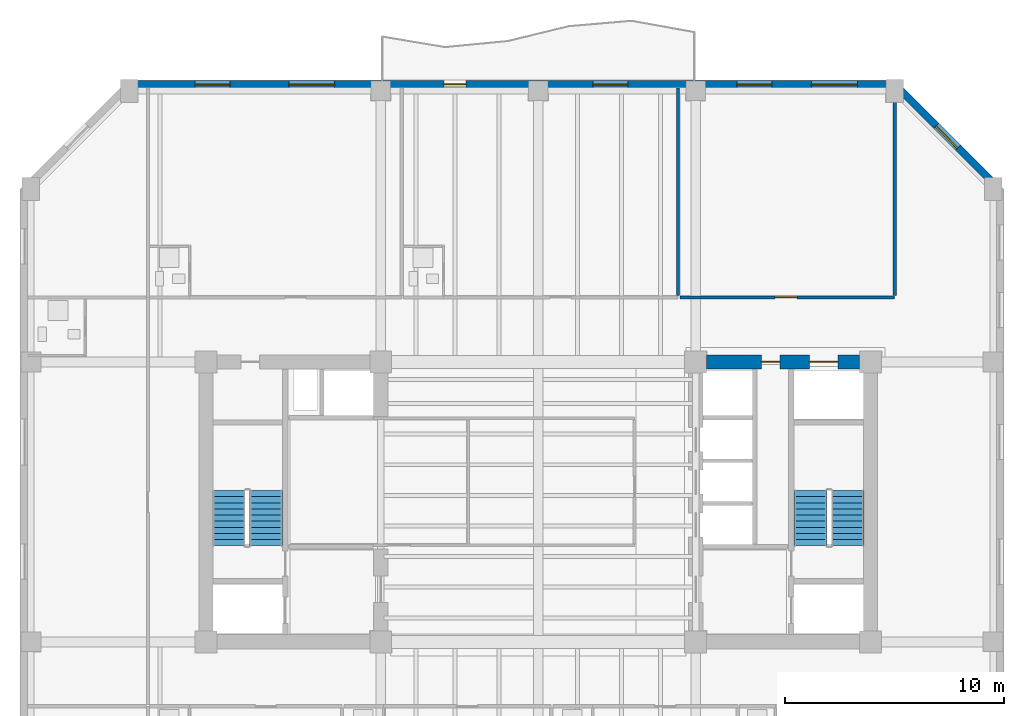
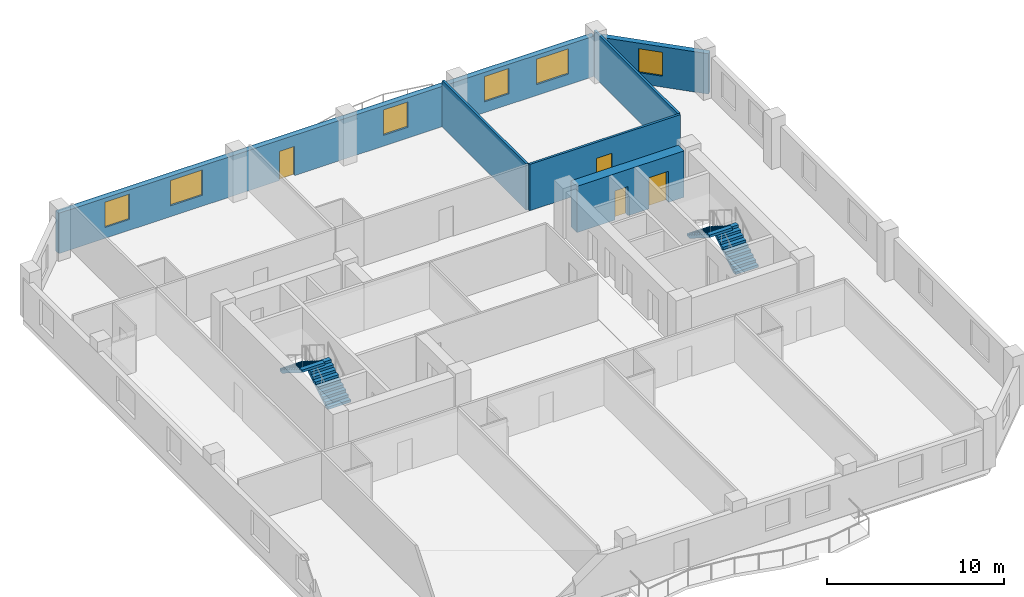
# One storey, part 5 of 10: 6 walls, 6 windows, 4 doors, 4 stair flights, 10 openings, 2 elements without a shape of their own.
"""IFC4 building model written with IfcOpenShell, lengths in metres."""

from ifc_helpers import new_model, si_unit, direction, frame, frame_2d, origin, place, context, subcontext, project, spatial, polyline, rectangle, outline, extrude, material, layer, layer_set, type_object, element, fill, aggregate, save


model = new_model("IFC4")

# Units and contexts
model_context = context("Model", 3, precision=1e-05, world=origin(), true_north=direction((0.0, 1.0)))
body_context = subcontext(model_context, "Body", "Model", "MODEL_VIEW")
ifc_project = project(units=[si_unit("LENGTHUNIT", "METRE"), si_unit("AREAUNIT", "SQUARE_METRE"), si_unit("VOLUMEUNIT", "CUBIC_METRE"), si_unit("PLANEANGLEUNIT", "RADIAN"), si_unit("MASSUNIT", "GRAM", prefix="KILO")], contexts=[model_context])

# Site, building, storey
site_placement = place(None, origin())
site = spatial("IfcSite", under=ifc_project, at=site_placement, CompositionType="ELEMENT")
building_placement = place(site_placement, origin())
building = spatial("IfcBuilding", under=site, at=building_placement, Name="Kranthara Brick Stack", CompositionType="ELEMENT")
storey_placement = place(building_placement, frame((0.0, 0.0, 123.800048828125)))
storey = spatial("IfcBuildingStorey", under=building, at=storey_placement, Name="L30", CompositionType="ELEMENT", Elevation=123.800048828125)

# Wall, openings, door, windows
ifc_material_1 = material(Name="Kiln-fired clay brick masonry M15", Category="masonry")
ifc_layer_1 = layer(ifc_material_1, 0.35009765625)
ifc_layer_set_1 = layer_set([ifc_layer_1], Name="Kiln-fired clay brick masonry M15")
wall_type_1 = type_object("IfcWallType", Name="WL-BRK-SPND-350", PredefinedType="STANDARD", material=ifc_layer_set_1)
wall_1_placement = place(storey_placement, frame((9.300048828125, 46.304931640625, 0.0), z_axis=(0.0, 0.0, 1.0), x_axis=(1.0, 0.0, 0.0)))
wall_1 = element("IfcWall", 1, at=wall_1_placement, inside=storey, type_object=wall_type_1, Name="L30 Exterior Brick Facade Wall NORTH 1", PredefinedType="STANDARD", context=body_context, shape_type="SweptSolid", body=[
    extrude(rectangle(XDim=35.0, YDim=0.35009765625, at=frame_2d((17.5, 0.0))), origin(), (0.0, 0.0, 1.0), 2.784912109375),
])
opening_1_placement = place(wall_1_placement, frame((14.39990234375, 0.0, 0.0)))
opening_1 = element("IfcOpeningElement", 2, at=opening_1_placement, cuts=wall_1, Name="Opening D03", PredefinedType="OPENING", context=body_context, shape_type="SweptSolid", body=[
    extrude(rectangle(XDim=1.0, YDim=2.02001953125, at=frame_2d((0.5, 1.010009765625))), frame((0.0, 0.18505859375, 0.0), z_axis=(0.0, -1.0, 0.0), x_axis=(1.0, 0.0, 0.0)), (0.0, 0.0, 1.0), 0.3701171875),
])
opening_2_placement = place(wall_1_placement, frame((3.007080078125, 0.0, 0.75)))
opening_2 = element("IfcOpeningElement", 3, at=opening_2_placement, cuts=wall_1, Name="Opening WN04", PredefinedType="OPENING", context=body_context, shape_type="SweptSolid", body=[
    extrude(rectangle(XDim=1.60009765625, YDim=1.75, at=frame_2d((0.800048828125, 0.875))), frame((0.0, 0.18505859375, 0.0), z_axis=(0.0, -1.0, 0.0), x_axis=(1.0, 0.0, 0.0)), (0.0, 0.0, 1.0), 0.3701171875),
])
opening_3_placement = place(wall_1_placement, frame((7.29296875, 0.0, 0.75)))
opening_3 = element("IfcOpeningElement", 4, at=opening_3_placement, cuts=wall_1, Name="Opening WN05", PredefinedType="OPENING", context=body_context, shape_type="SweptSolid", body=[
    extrude(rectangle(XDim=2.10009765625, YDim=1.75, at=frame_2d((1.050048828125, 0.875))), frame((0.0, 0.18505859375, 0.0), z_axis=(0.0, -1.0, 0.0), x_axis=(1.0, 0.0, 0.0)), (0.0, 0.0, 1.0), 0.3701171875),
])
opening_4_placement = place(wall_1_placement, frame((21.197998046875, 0.0, 0.75)))
opening_4 = element("IfcOpeningElement", 5, at=opening_4_placement, cuts=wall_1, Name="Opening WN04", PredefinedType="OPENING", context=body_context, shape_type="SweptSolid", body=[
    extrude(rectangle(XDim=1.60009765625, YDim=1.75, at=frame_2d((0.800048828125, 0.875))), frame((0.0, 0.18505859375, 0.0), z_axis=(0.0, -1.0, 0.0), x_axis=(1.0, 0.0, 0.0)), (0.0, 0.0, 1.0), 0.3701171875),
])
opening_5_placement = place(wall_1_placement, frame((27.782958984375, 0.0, 0.75)))
opening_5 = element("IfcOpeningElement", 6, at=opening_5_placement, cuts=wall_1, Name="Opening WN04", PredefinedType="OPENING", context=body_context, shape_type="SweptSolid", body=[
    extrude(rectangle(XDim=1.60009765625, YDim=1.75, at=frame_2d((0.800048828125, 0.875))), frame((0.0, 0.18505859375, 0.0), z_axis=(0.0, -1.0, 0.0), x_axis=(1.0, 0.0, 0.0)), (0.0, 0.0, 1.0), 0.3701171875),
])
opening_6_placement = place(wall_1_placement, frame((31.19189453125, 0.0, 0.75)))
opening_6 = element("IfcOpeningElement", 7, at=opening_6_placement, cuts=wall_1, Name="Opening WN05", PredefinedType="OPENING", context=body_context, shape_type="SweptSolid", body=[
    extrude(rectangle(XDim=2.10009765625, YDim=1.75, at=frame_2d((1.050048828125, 0.875))), frame((0.0, 0.18505859375, 0.0), z_axis=(0.0, -1.0, 0.0), x_axis=(1.0, 0.0, 0.0)), (0.0, 0.0, 1.0), 0.3701171875),
])
ifc_material_2 = material(Name="Bronze anodised aluminium and laminated glass", Category="aluminium")
door_type_1 = type_object("IfcDoorType", Name="DR-BALC-1000", OperationType="NOTDEFINED", PredefinedType="DOOR", material=ifc_material_2)
door_1_placement = place(opening_1_placement, origin())
door_1 = element("IfcDoor", 8, at=door_1_placement, inside=storey, type_object=door_type_1, Name="L30 North Balcony Terrace Door", OperationType="SINGLE_SWING_RIGHT", OverallHeight=2.02001953125, OverallWidth=1.0, PredefinedType="DOOR", context=body_context, shape_type="SweptSolid", body=[
    extrude(rectangle(XDim=1.0, YDim=2.02001953125, at=frame_2d((0.5, 1.010009765625))), frame((0.0, 0.02490234375, 0.0), z_axis=(0.0, -1.0, 0.0), x_axis=(1.0, 0.0, 0.0)), (0.0, 0.0, 1.0), 0.050048828125),
])
fill(opening_1, door_1)
ifc_material_3 = material(Name="Double-glazed low-E solar control glass", Category="glass")
window_type_1 = type_object("IfcWindowType", Name="WN-HTL-1600x1850", PartitioningType="DOUBLE_PANEL_VERTICAL", PredefinedType="WINDOW", material=ifc_material_3)
window_1_placement = place(opening_2_placement, origin())
window_1 = element("IfcWindow", 9, at=window_1_placement, inside=storey, type_object=window_type_1, Name="L30 North Deep-Set Brick Window 01", OverallHeight=1.75, OverallWidth=1.60009765625, PartitioningType="SINGLE_PANEL", PredefinedType="WINDOW", context=body_context, shape_type="SweptSolid", body=[
    extrude(rectangle(XDim=1.60009765625, YDim=1.75, at=frame_2d((0.800048828125, 0.875))), frame((0.0, -0.010009765625, 0.0), z_axis=(0.0, -1.0, 0.0), x_axis=(1.0, 0.0, 0.0)), (0.0, 0.0, 1.0), 0.06005859375),
])
fill(opening_2, window_1)
window_2_placement = place(opening_4_placement, origin())
window_2 = element("IfcWindow", 10, at=window_2_placement, inside=storey, type_object=window_type_1, Name="L30 North Deep-Set Brick Window 03", OverallHeight=1.75, OverallWidth=1.60009765625, PartitioningType="SINGLE_PANEL", PredefinedType="WINDOW", context=body_context, shape_type="SweptSolid", body=[
    extrude(rectangle(XDim=1.60009765625, YDim=1.75, at=frame_2d((0.800048828125, 0.875))), frame((0.0, -0.010009765625, 0.0), z_axis=(0.0, -1.0, 0.0), x_axis=(1.0, 0.0, 0.0)), (0.0, 0.0, 1.0), 0.06005859375),
])
fill(opening_4, window_2)
window_3_placement = place(opening_5_placement, origin())
window_3 = element("IfcWindow", 11, at=window_3_placement, inside=storey, type_object=window_type_1, Name="L30 North Deep-Set Brick Window 04", OverallHeight=1.75, OverallWidth=1.60009765625, PartitioningType="SINGLE_PANEL", PredefinedType="WINDOW", context=body_context, shape_type="SweptSolid", body=[
    extrude(rectangle(XDim=1.60009765625, YDim=1.75, at=frame_2d((0.800048828125, 0.875))), frame((0.0, -0.010009765625, 0.0), z_axis=(0.0, -1.0, 0.0), x_axis=(1.0, 0.0, 0.0)), (0.0, 0.0, 1.0), 0.06005859375),
])
fill(opening_5, window_3)
ifc_material_4 = material(Name="Double-glazed low-E solar control glass", Category="glass")
window_type_2 = type_object("IfcWindowType", Name="WN-HTL-2100x1850", PartitioningType="DOUBLE_PANEL_VERTICAL", PredefinedType="WINDOW", material=ifc_material_4)
window_4_placement = place(opening_3_placement, origin())
window_4 = element("IfcWindow", 12, at=window_4_placement, inside=storey, type_object=window_type_2, Name="L30 North Deep-Set Brick Window 02", OverallHeight=1.75, OverallWidth=2.10009765625, PartitioningType="SINGLE_PANEL", PredefinedType="WINDOW", context=body_context, shape_type="SweptSolid", body=[
    extrude(rectangle(XDim=2.10009765625, YDim=1.75, at=frame_2d((1.050048828125, 0.875))), frame((0.0, -0.010009765625, 0.0), z_axis=(0.0, -1.0, 0.0), x_axis=(1.0, 0.0, 0.0)), (0.0, 0.0, 1.0), 0.06005859375),
])
fill(opening_3, window_4)
window_5_placement = place(opening_6_placement, origin())
window_5 = element("IfcWindow", 13, at=window_5_placement, inside=storey, type_object=window_type_2, Name="L30 North Deep-Set Brick Window 05", OverallHeight=1.75, OverallWidth=2.10009765625, PartitioningType="SINGLE_PANEL", PredefinedType="WINDOW", context=body_context, shape_type="SweptSolid", body=[
    extrude(rectangle(XDim=2.10009765625, YDim=1.75, at=frame_2d((1.050048828125, 0.875))), frame((0.0, -0.010009765625, 0.0), z_axis=(0.0, -1.0, 0.0), x_axis=(1.0, 0.0, 0.0)), (0.0, 0.0, 1.0), 0.06005859375),
])
fill(opening_6, window_5)

# Wall, opening, window
wall_2_placement = place(storey_placement, frame((44.300048828125, 46.304931640625, 0.0), z_axis=(0.0, 0.0, 1.0), x_axis=(0.707106781187, -0.707106781187, 0.0)))
wall_2 = element("IfcWall", 14, at=wall_2_placement, inside=storey, type_object=wall_type_1, Name="L30 Exterior Brick Facade Wall NE 1", PredefinedType="STANDARD", context=body_context, shape_type="SweptSolid", body=[
    extrude(rectangle(XDim=6.795166015625, YDim=0.35009765625, at=frame_2d((3.3974609375, 0.0))), origin(), (0.0, 0.0, 1.0), 2.784912109375),
])
opening_7_placement = place(wall_2_placement, frame((2.697998046875, 0.0, 0.75)))
opening_7 = element("IfcOpeningElement", 15, at=opening_7_placement, cuts=wall_2, Name="Opening WN10", PredefinedType="OPENING", context=body_context, shape_type="SweptSolid", body=[
    extrude(rectangle(XDim=1.39990234375, YDim=1.64990234375, at=frame_2d((0.699951171875, 0.824951171875))), frame((0.0, 0.18505859375, 0.0), z_axis=(0.0, -1.0, 0.0), x_axis=(1.0, 0.0, 0.0)), (0.0, 0.0, 1.0), 0.3701171875),
])
ifc_material_5 = material(Name="Double-glazed low-E solar control glass", Category="glass")
window_type_3 = type_object("IfcWindowType", Name="WN-CHM-1400x1750", PartitioningType="SINGLE_PANEL", PredefinedType="WINDOW", material=ifc_material_5)
window_6_placement = place(opening_7_placement, origin())
window_6 = element("IfcWindow", 16, at=window_6_placement, inside=storey, type_object=window_type_3, Name="L30 NE Chamfer Corner Window", OverallHeight=1.64990234375, OverallWidth=1.39990234375, PartitioningType="SINGLE_PANEL", PredefinedType="WINDOW", context=body_context, shape_type="SweptSolid", body=[
    extrude(rectangle(XDim=1.39990234375, YDim=1.64990234375, at=frame_2d((0.699951171875, 0.824951171875))), frame((0.0, -0.010009765625, 0.0), z_axis=(0.0, -1.0, 0.0), x_axis=(1.0, 0.0, 0.0)), (0.0, 0.0, 1.0), 0.06005859375),
])
fill(opening_7, window_6)

# Wall, openings, doors
ifc_material_6 = material(Name="Concrete C60/75", Category="concrete")
ifc_layer_2 = layer(ifc_material_6, 0.64990234375)
ifc_layer_set_2 = layer_set([ifc_layer_2], Name="Concrete C60/75")
wall_type_2 = type_object("IfcWallType", Name="WL-CORE-650", PredefinedType="SHEAR", material=ifc_layer_set_2)
wall_3_placement = place(storey_placement, frame((35.705078125, 33.60009765625, 0.0), z_axis=(0.0, 0.0, 1.0), x_axis=(1.0, 0.0, 0.0)))
wall_3 = element("IfcWall", 17, at=wall_3_placement, inside=storey, type_object=wall_type_2, Name="L30 East Core Shear Wall North", PredefinedType="SHEAR", context=body_context, shape_type="SweptSolid", body=[
    extrude(rectangle(XDim=6.989990234375, YDim=0.64990234375, at=frame_2d((3.4951171875, 0.0))), origin(), (0.0, 0.0, 1.0), 3.199951171875),
])
opening_8_placement = place(wall_3_placement, frame((4.695068359375, 0.0, 0.0)))
opening_8 = element("IfcOpeningElement", 18, at=opening_8_placement, cuts=wall_3, Name="Opening LD03", PredefinedType="OPENING", context=body_context, shape_type="SweptSolid", body=[
    extrude(rectangle(XDim=1.300048828125, YDim=2.14990234375, at=frame_2d((0.64990234375, 1.074951171875))), frame((0.0, 0.3349609375, 0.0), z_axis=(0.0, -1.0, 0.0), x_axis=(1.0, 0.0, 0.0)), (0.0, 0.0, 1.0), 0.669921875),
])
opening_9_placement = place(wall_3_placement, frame((2.4951171875, 0.0, 0.0)))
opening_9 = element("IfcOpeningElement", 19, at=opening_9_placement, cuts=wall_3, Name="Opening D10", PredefinedType="OPENING", context=body_context, shape_type="SweptSolid", body=[
    extrude(rectangle(XDim=0.85009765625, YDim=2.02001953125, at=frame_2d((0.425048828125, 1.010009765625))), frame((0.0, 0.3349609375, 0.0), z_axis=(0.0, -1.0, 0.0), x_axis=(1.0, 0.0, 0.0)), (0.0, 0.0, 1.0), 0.669921875),
])
ifc_material_7 = material(Name="Stainless steel sliding landing door", Category="steel")
door_type_2 = type_object("IfcDoorType", Name="DR-LD-SV1300", OperationType="DOUBLE_DOOR_SLIDING", PredefinedType="DOOR", material=ifc_material_7)
door_2_placement = place(opening_8_placement, origin())
door_2 = element("IfcDoor", 20, at=door_2_placement, inside=storey, type_object=door_type_2, Name="L30 Stretcher Service Lift SV-01 Landing Door", OperationType="DOUBLE_DOOR_SLIDING", OverallHeight=2.14990234375, OverallWidth=1.300048828125, PredefinedType="DOOR", context=body_context, shape_type="SweptSolid", body=[
    extrude(rectangle(XDim=1.300048828125, YDim=2.14990234375, at=frame_2d((0.64990234375, 1.074951171875))), frame((0.0, 0.02490234375, 0.0), z_axis=(0.0, -1.0, 0.0), x_axis=(1.0, 0.0, 0.0)), (0.0, 0.0, 1.0), 0.050048828125),
])
fill(opening_8, door_2)
ifc_material_8 = material(Name="Solid-core hardwood timber leaf in steel frame", Category="steel")
door_type_3 = type_object("IfcDoorType", Name="DR-RSR-850", OperationType="NOTDEFINED", PredefinedType="DOOR", material=ifc_material_8)
door_3_placement = place(opening_9_placement, origin())
door_3 = element("IfcDoor", 21, at=door_3_placement, inside=storey, type_object=door_type_3, Name="L30 East Core Service Room Door", OperationType="SINGLE_SWING_LEFT", OverallHeight=2.02001953125, OverallWidth=0.85009765625, PredefinedType="DOOR", context=body_context, shape_type="SweptSolid", body=[
    extrude(rectangle(XDim=0.85009765625, YDim=2.02001953125, at=frame_2d((0.425048828125, 1.010009765625))), frame((0.0, 0.02490234375, 0.0), z_axis=(0.0, -1.0, 0.0), x_axis=(1.0, 0.0, 0.0)), (0.0, 0.0, 1.0), 0.050048828125),
])
fill(opening_9, door_3)

# Wall
ifc_material_9 = material(Name="Fire-rated gypsum board partition", Category="other")
ifc_layer_3 = layer(ifc_material_9, 0.14990234375)
ifc_layer_set_3 = layer_set([ifc_layer_3], Name="Fire-rated gypsum board partition")
wall_type_3 = type_object("IfcWallType", Name="WL-PART-150", PredefinedType="PARTITIONING", material=ifc_layer_set_3)
wall_4_placement = place(storey_placement, frame((34.39599609375, 36.6298828125, 0.0), z_axis=(0.0, 0.0, 1.0), x_axis=(0.0, 1.0, 0.0)))
element("IfcWall", 22, at=wall_4_placement, inside=storey, type_object=wall_type_3, Name="L30 Interior Partition 036", PredefinedType="PARTITIONING", context=body_context, shape_type="SweptSolid", body=[
    extrude(rectangle(XDim=9.4951171875, YDim=0.14990234375, at=frame_2d((4.74755859375, 0.0))), origin(), (0.0, 0.0, 1.0), 3.199951171875),
])

# Wall, opening, door
wall_5_placement = place(storey_placement, frame((34.47607421875, 36.550048828125, 0.0), z_axis=(0.0, 0.0, 1.0), x_axis=(1.0, 0.0, 0.0)))
wall_5 = element("IfcWall", 23, at=wall_5_placement, inside=storey, type_object=wall_type_3, Name="L30 Interior Partition 037", PredefinedType="PARTITIONING", context=body_context, shape_type="SweptSolid", body=[
    extrude(rectangle(XDim=9.823974609375, YDim=0.14990234375, at=frame_2d((4.912109375, 0.0))), origin(), (0.0, 0.0, 1.0), 3.199951171875),
])
opening_10_placement = place(wall_5_placement, frame((4.35205078125, 0.0, 0.0)))
opening_10 = element("IfcOpeningElement", 24, at=opening_10_placement, cuts=wall_5, Name="Opening D08", PredefinedType="OPENING", context=body_context, shape_type="SweptSolid", body=[
    extrude(rectangle(XDim=1.0, YDim=2.10009765625, at=frame_2d((0.5, 1.050048828125))), frame((0.0, 0.0849609375, 0.0), z_axis=(0.0, -1.0, 0.0), x_axis=(1.0, 0.0, 0.0)), (0.0, 0.0, 1.0), 0.169921875),
])
ifc_material_10 = material(Name="Solid-core hardwood timber leaf in steel frame", Category="steel")
door_type_4 = type_object("IfcDoorType", Name="DR-FD-1000", OperationType="NOTDEFINED", PredefinedType="DOOR", material=ifc_material_10)
door_4_placement = place(opening_10_placement, origin())
door_4 = element("IfcDoor", 25, at=door_4_placement, inside=storey, type_object=door_type_4, Name="L30 Guest Lounge 15", OperationType="SINGLE_SWING_LEFT", OverallHeight=2.10009765625, OverallWidth=1.0, PredefinedType="DOOR", context=body_context, shape_type="SweptSolid", body=[
    extrude(rectangle(XDim=1.0, YDim=2.10009765625, at=frame_2d((0.5, 1.050048828125))), frame((0.0, 0.02490234375, 0.0), z_axis=(0.0, -1.0, 0.0), x_axis=(1.0, 0.0, 0.0)), (0.0, 0.0, 1.0), 0.050048828125),
])
fill(opening_10, door_4)

# Wall
wall_6_placement = place(storey_placement, frame((44.300048828125, 36.6298828125, 0.0), z_axis=(0.0, 0.0, 1.0), x_axis=(0.0, 1.0, 0.0)))
element("IfcWall", 26, at=wall_6_placement, inside=storey, type_object=wall_type_3, Name="L30 Interior Partition 038", PredefinedType="PARTITIONING", context=body_context, shape_type="SweptSolid", body=[
    extrude(rectangle(XDim=9.4951171875, YDim=0.14990234375, at=frame_2d((4.74755859375, 0.0))), origin(), (0.0, 0.0, 1.0), 3.199951171875),
])

# Stair, stair flights
ifc_material_11 = material(Name="Concrete C45/55", Category="concrete")
stair_type = type_object("IfcStairType", Name="ST-CORE-20R", PredefinedType="HALF_TURN_STAIR", material=ifc_material_11)
stair_1_placement = place(storey_placement, origin())
stair_1 = element("IfcStair", 27, at=stair_1_placement, inside=storey, type_object=stair_type, Name="L30 West Core Protected Exit Stair ST01", PredefinedType="HALF_TURN_STAIR")
ifc_material_12 = material(Name="Concrete C45/55", Category="concrete")
stair_flight_type = type_object("IfcStairFlightType", Name="SFL-RC-20R", PredefinedType="STRAIGHT", material=ifc_material_12)
stair_flight_1_placement = place(storey_placement, frame((15.550048828125, 25.199951171875, 0.0), z_axis=(0.0, 0.0, 1.0), x_axis=(0.0, 1.0, 0.0)))
stair_flight_1 = element("IfcStairFlight", 28, at=stair_flight_1_placement, type_object=stair_flight_type, Name="ST01 flight 1", NumberOfRisers=10, NumberOfTreads=9, PredefinedType="STRAIGHT", RiserHeight=0.175, TreadLength=0.28, context=body_context, shape_type="SweptSolid", body=[
    extrude(outline(polyline([(0.0, 0.0), (0.0, 0.175048828125), (0.280029296875, 0.175048828125), (0.280029296875, 0.35009765625), (0.56005859375, 0.35009765625), (0.56005859375, 0.52490234375), (0.840087890625, 0.52490234375), (0.840087890625, 0.699951171875), (1.1201171875, 0.699951171875), (1.1201171875, 0.875), (1.39990234375, 0.875), (1.39990234375, 1.050048828125), (1.679931640625, 1.050048828125), (1.679931640625, 1.22509765625), (1.9599609375, 1.22509765625), (1.9599609375, 1.39990234375), (2.239990234375, 1.39990234375), (2.239990234375, 1.574951171875), (2.52001953125, 1.574951171875), (2.52001953125, 1.75), (2.52001953125, 1.398193359375), (0.28271484375, 0.0), (0.0, 0.0)])), frame((0.0, 0.75, 0.0), z_axis=(0.0, -1.0, 0.0), x_axis=(1.0, 0.0, 0.0)), (0.0, 0.0, 1.0), 1.5),
])
stair_flight_2_placement = place(storey_placement, frame((13.85009765625, 27.719970703125, 1.75), z_axis=(0.0, 0.0, 1.0), x_axis=(0.0, -1.0, 0.0)))
stair_flight_2 = element("IfcStairFlight", 29, at=stair_flight_2_placement, type_object=stair_flight_type, Name="ST01 flight 2", NumberOfRisers=10, NumberOfTreads=9, PredefinedType="STRAIGHT", RiserHeight=0.175, TreadLength=0.28, context=body_context, shape_type="SweptSolid", body=[
    extrude(outline(polyline([(0.0, 0.0), (0.0, 0.175048828125), (0.280029296875, 0.175048828125), (0.280029296875, 0.35009765625), (0.56005859375, 0.35009765625), (0.56005859375, 0.52490234375), (0.840087890625, 0.52490234375), (0.840087890625, 0.699951171875), (1.1201171875, 0.699951171875), (1.1201171875, 0.875), (1.39990234375, 0.875), (1.39990234375, 1.050048828125), (1.679931640625, 1.050048828125), (1.679931640625, 1.22509765625), (1.9599609375, 1.22509765625), (1.9599609375, 1.39990234375), (2.239990234375, 1.39990234375), (2.239990234375, 1.574951171875), (2.52001953125, 1.574951171875), (2.52001953125, 1.75), (2.52001953125, 1.398193359375), (0.28271484375, 0.0), (0.0, 0.0)])), frame((0.0, 0.75, 0.0), z_axis=(0.0, -1.0, 0.0), x_axis=(1.0, 0.0, 0.0)), (0.0, 0.0, 1.0), 1.5),
])
aggregate(stair_1, [stair_flight_1, stair_flight_2])

stair_2_placement = place(storey_placement, origin())
stair_2 = element("IfcStair", 30, at=stair_2_placement, inside=storey, type_object=stair_type, Name="L30 East Core Protected Exit Stair ST02", PredefinedType="HALF_TURN_STAIR")
stair_flight_3_placement = place(storey_placement, frame((42.14990234375, 25.199951171875, 0.0), z_axis=(0.0, 0.0, 1.0), x_axis=(0.0, 1.0, 0.0)))
stair_flight_3 = element("IfcStairFlight", 31, at=stair_flight_3_placement, type_object=stair_flight_type, Name="ST02 flight 1", NumberOfRisers=10, NumberOfTreads=9, PredefinedType="STRAIGHT", RiserHeight=0.175, TreadLength=0.28, context=body_context, shape_type="SweptSolid", body=[
    extrude(outline(polyline([(0.0, 0.0), (0.0, 0.175048828125), (0.280029296875, 0.175048828125), (0.280029296875, 0.35009765625), (0.56005859375, 0.35009765625), (0.56005859375, 0.52490234375), (0.840087890625, 0.52490234375), (0.840087890625, 0.699951171875), (1.1201171875, 0.699951171875), (1.1201171875, 0.875), (1.39990234375, 0.875), (1.39990234375, 1.050048828125), (1.679931640625, 1.050048828125), (1.679931640625, 1.22509765625), (1.9599609375, 1.22509765625), (1.9599609375, 1.39990234375), (2.239990234375, 1.39990234375), (2.239990234375, 1.574951171875), (2.52001953125, 1.574951171875), (2.52001953125, 1.75), (2.52001953125, 1.398193359375), (0.28271484375, 0.0), (0.0, 0.0)])), frame((0.0, 0.75, 0.0), z_axis=(0.0, -1.0, 0.0), x_axis=(1.0, 0.0, 0.0)), (0.0, 0.0, 1.0), 1.5),
])
stair_flight_4_placement = place(storey_placement, frame((40.449951171875, 27.719970703125, 1.75), z_axis=(0.0, 0.0, 1.0), x_axis=(0.0, -1.0, 0.0)))
stair_flight_4 = element("IfcStairFlight", 32, at=stair_flight_4_placement, type_object=stair_flight_type, Name="ST02 flight 2", NumberOfRisers=10, NumberOfTreads=9, PredefinedType="STRAIGHT", RiserHeight=0.175, TreadLength=0.28, context=body_context, shape_type="SweptSolid", body=[
    extrude(outline(polyline([(0.0, 0.0), (0.0, 0.175048828125), (0.280029296875, 0.175048828125), (0.280029296875, 0.35009765625), (0.56005859375, 0.35009765625), (0.56005859375, 0.52490234375), (0.840087890625, 0.52490234375), (0.840087890625, 0.699951171875), (1.1201171875, 0.699951171875), (1.1201171875, 0.875), (1.39990234375, 0.875), (1.39990234375, 1.050048828125), (1.679931640625, 1.050048828125), (1.679931640625, 1.22509765625), (1.9599609375, 1.22509765625), (1.9599609375, 1.39990234375), (2.239990234375, 1.39990234375), (2.239990234375, 1.574951171875), (2.52001953125, 1.574951171875), (2.52001953125, 1.75), (2.52001953125, 1.398193359375), (0.28271484375, 0.0), (0.0, 0.0)])), frame((0.0, 0.75, 0.0), z_axis=(0.0, -1.0, 0.0), x_axis=(1.0, 0.0, 0.0)), (0.0, 0.0, 1.0), 1.5),
])
aggregate(stair_2, [stair_flight_3, stair_flight_4])

save(model, "model.ifc")
